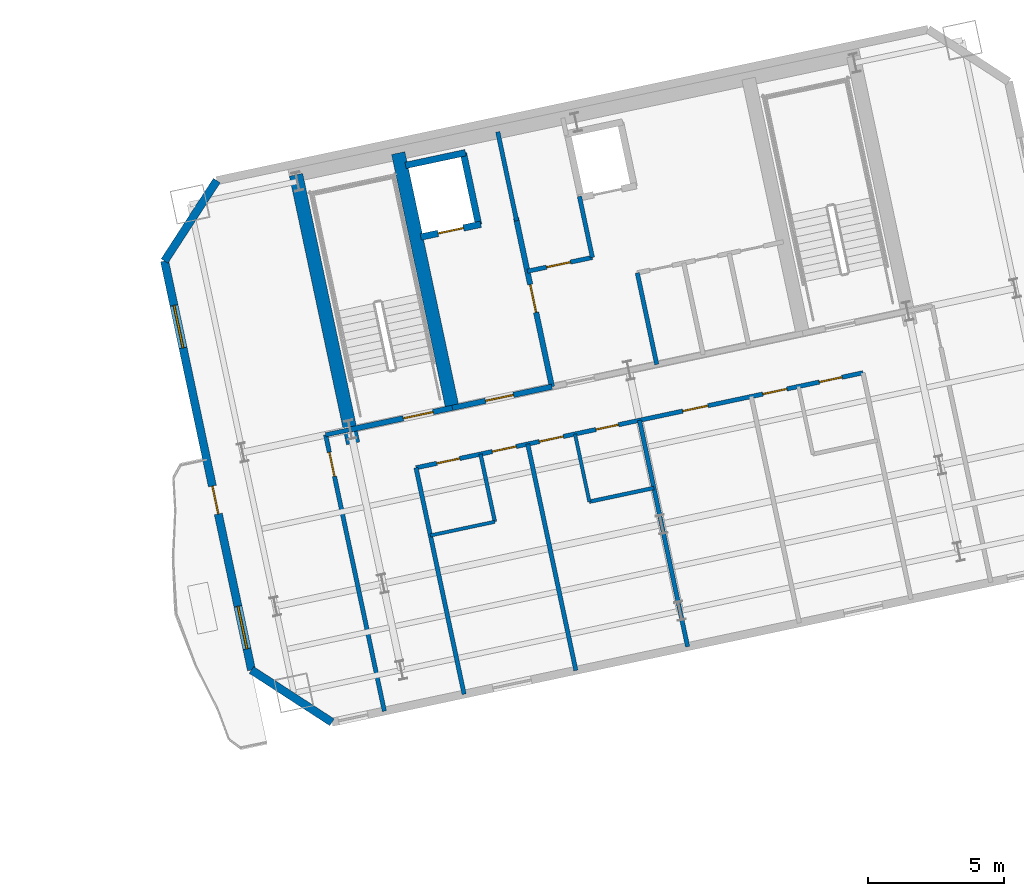
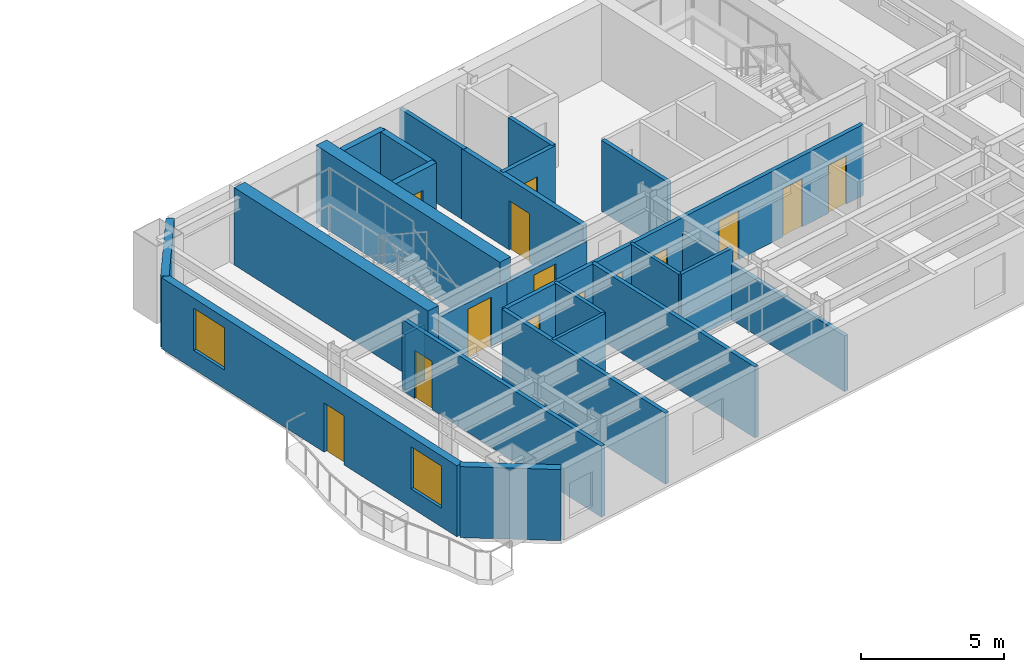
# One storey, part 7 of 13: 25 walls, 14 doors, 2 windows, 16 openings.
"""IFC4 building model written with IfcOpenShell, lengths in metres."""

from ifc_helpers import new_model, si_unit, direction, frame, frame_2d, origin, place, context, subcontext, project, spatial, rectangle, extrude, material, layer, layer_set, type_object, element, fill, save


model = new_model("IFC4")

# Units and contexts
model_context = context("Model", 3, precision=1e-05, world=origin(), true_north=direction((0.0, 1.0)))
body_context = subcontext(model_context, "Body", "Model", "MODEL_VIEW")
ifc_project = project(units=[si_unit("LENGTHUNIT", "METRE"), si_unit("AREAUNIT", "SQUARE_METRE"), si_unit("VOLUMEUNIT", "CUBIC_METRE"), si_unit("PLANEANGLEUNIT", "RADIAN"), si_unit("MASSUNIT", "GRAM", prefix="KILO")], contexts=[model_context])

# Site, building, storey
site_placement = place(None, origin())
site = spatial("IfcSite", under=ifc_project, at=site_placement, CompositionType="ELEMENT")
building_placement = place(site_placement, origin())
building = spatial("IfcBuilding", under=site, at=building_placement, Name="Haevon Station Towers", CompositionType="ELEMENT")
storey_placement = place(building_placement, frame((0.0, 0.0, 162.60009765625)))
storey = spatial("IfcBuildingStorey", under=building, at=storey_placement, Name="L44", CompositionType="ELEMENT", Elevation=162.60009765625)

# Wall, opening, door
ifc_material_1 = material(Name="Gypsum board on steel stud", Category="steel")
ifc_layer_1 = layer(ifc_material_1, 0.199951171875)
ifc_layer_set_1 = layer_set([ifc_layer_1], Name="Gypsum board on steel stud")
wall_type_1 = type_object("IfcWallType", Name="WL-COR200", PredefinedType="PARTITIONING", material=ifc_layer_set_1)
wall_1_placement = place(storey_placement, frame((98.75244140625, 37.4423828125, 0.0), z_axis=(0.0, 0.0, 1.0), x_axis=(0.978143537786, 0.207930804564, 0.0)))
wall_1 = element("IfcWall", 1, at=wall_1_placement, inside=storey, type_object=wall_type_1, Name="WL-ST-ST3-L44", PredefinedType="PARTITIONING", context=body_context, shape_type="SweptSolid", body=[
    extrude(rectangle(XDim=3.85009765625, YDim=0.199951171875, at=frame_2d((1.925048828125, 0.0))), origin(), (0.0, 0.0, 1.0), 2.3798828125),
])
opening_1_placement = place(wall_1_placement, frame((2.0, 0.0, 0.0)))
opening_1 = element("IfcOpeningElement", 2, at=opening_1_placement, cuts=wall_1, Name="Opening DR-ST-ST3-L44", PredefinedType="OPENING", context=body_context, shape_type="SweptSolid", body=[
    extrude(rectangle(XDim=1.1201171875, YDim=2.10009765625, at=frame_2d((0.56005859375, 1.050048828125))), frame((0.0, 0.10986328125, 0.0), z_axis=(0.0, -1.0, 0.0), x_axis=(1.0, 0.0, 0.0)), (0.0, 0.0, 1.0), 0.219970703125),
])
ifc_material_2 = material(Name="Engineered oak timber", Category="wood")
door_type_1 = type_object("IfcDoorType", Name="DR-ST-1120", OperationType="NOTDEFINED", PredefinedType="DOOR", material=ifc_material_2)
door_1_placement = place(opening_1_placement, origin())
door_1 = element("IfcDoor", 3, at=door_1_placement, inside=storey, type_object=door_type_1, Name="L44 Escape Stair ST3 Fire Door", OperationType="SINGLE_SWING_RIGHT", OverallHeight=2.10009765625, OverallWidth=1.1201171875, PredefinedType="DOOR", context=body_context, shape_type="SweptSolid", body=[
    extrude(rectangle(XDim=1.1201171875, YDim=2.10009765625, at=frame_2d((0.56005859375, 1.050048828125))), frame((0.0, 0.02490234375, 0.0), z_axis=(0.0, -1.0, 0.0), x_axis=(1.0, 0.0, 0.0)), (0.0, 0.0, 1.0), 0.050048828125),
])
fill(opening_1, door_1)

wall_2_placement = place(storey_placement, frame((106.186279296875, 39.0224609375, 0.0), z_axis=(0.0, 0.0, 1.0), x_axis=(-0.207916691923, 0.978146537703, 0.0)))
wall_2 = element("IfcWall", 4, at=wall_2_placement, inside=storey, type_object=wall_type_1, Name="WL-T2FFL-L44-E", PredefinedType="PARTITIONING", context=body_context, shape_type="SweptSolid", body=[
    extrude(rectangle(XDim=6.35009765625, YDim=0.199951171875, at=frame_2d((3.175048828125, 0.0))), origin(), (0.0, 0.0, 1.0), 3.02978515625),
])
opening_2_placement = place(wall_2_placement, frame((2.800048828125, 0.0, 0.0)))
opening_2 = element("IfcOpeningElement", 5, at=opening_2_placement, cuts=wall_2, Name="Opening DR-T2FFL-L44-E", PredefinedType="OPENING", context=body_context, shape_type="SweptSolid", body=[
    extrude(rectangle(XDim=1.050048828125, YDim=2.10009765625, at=frame_2d((0.52490234375, 1.050048828125))), frame((0.0, 0.10986328125, 0.0), z_axis=(0.0, -1.0, 0.0), x_axis=(1.0, 0.0, 0.0)), (0.0, 0.0, 1.0), 0.219970703125),
])
door_type_2 = type_object("IfcDoorType", Name="DR-FD60-1050", OperationType="NOTDEFINED", PredefinedType="DOOR", material=ifc_material_2)
door_2_placement = place(opening_2_placement, origin())
door_2 = element("IfcDoor", 6, at=door_2_placement, inside=storey, type_object=door_type_2, Name="L44 Tower 2 Firefighting Lift Lobby Door E", OperationType="SINGLE_SWING_RIGHT", OverallHeight=2.10009765625, OverallWidth=1.050048828125, PredefinedType="DOOR", context=body_context, shape_type="SweptSolid", body=[
    extrude(rectangle(XDim=1.050048828125, YDim=2.10009765625, at=frame_2d((0.52490234375, 1.050048828125))), frame((0.0, 0.02490234375, 0.0), z_axis=(0.0, -1.0, 0.0), x_axis=(1.0, 0.0, 0.0)), (0.0, 0.0, 1.0), 0.050048828125),
])
fill(opening_2, door_2)

wall_3_placement = place(storey_placement, frame((102.518310546875, 38.242919921875, 0.0), z_axis=(0.0, 0.0, 1.0), x_axis=(0.978153555683, 0.20788367301, 0.0)))
wall_3 = element("IfcWall", 7, at=wall_3_placement, inside=storey, type_object=wall_type_1, Name="WL-T2FFL-L44-S", PredefinedType="PARTITIONING", context=body_context, shape_type="SweptSolid", body=[
    extrude(rectangle(XDim=3.75, YDim=0.199951171875, at=frame_2d((1.875, 0.0))), origin(), (0.0, 0.0, 1.0), 2.3798828125),
])
opening_3_placement = place(wall_3_placement, frame((1.25, 0.0, 0.0)))
opening_3 = element("IfcOpeningElement", 8, at=opening_3_placement, cuts=wall_3, Name="Opening DR-T2FFL-L44-S", PredefinedType="OPENING", context=body_context, shape_type="SweptSolid", body=[
    extrude(rectangle(XDim=1.050048828125, YDim=2.10009765625, at=frame_2d((0.52490234375, 1.050048828125))), frame((0.0, 0.10986328125, 0.0), z_axis=(0.0, -1.0, 0.0), x_axis=(1.0, 0.0, 0.0)), (0.0, 0.0, 1.0), 0.219970703125),
])
door_3_placement = place(opening_3_placement, origin())
door_3 = element("IfcDoor", 9, at=door_3_placement, inside=storey, type_object=door_type_2, Name="L44 Tower 2 Firefighting Lift Lobby Door S", OperationType="SINGLE_SWING_LEFT", OverallHeight=2.10009765625, OverallWidth=1.050048828125, PredefinedType="DOOR", context=body_context, shape_type="SweptSolid", body=[
    extrude(rectangle(XDim=1.050048828125, YDim=2.10009765625, at=frame_2d((0.52490234375, 1.050048828125))), frame((0.0, 0.02490234375, 0.0), z_axis=(0.0, -1.0, 0.0), x_axis=(1.0, 0.0, 0.0)), (0.0, 0.0, 1.0), 0.050048828125),
])
fill(opening_3, door_3)

# Walls
ifc_material_3 = material(Name="Concrete C60/75", Category="concrete")
ifc_layer_2 = layer(ifc_material_3, 0.5)
ifc_layer_set_2 = layer_set([ifc_layer_2], Name="Concrete C60/75")
wall_type_2 = type_object("IfcWallType", Name="WL-CR500", PredefinedType="SHEAR", material=ifc_layer_set_2)
wall_4_placement = place(storey_placement, frame((98.8603515625, 36.933837890625, 0.0), z_axis=(0.0, 0.0, 1.0), x_axis=(-0.20790924889, 0.978148119778, 0.0)))
element("IfcWall", 10, at=wall_4_placement, inside=storey, type_object=wall_type_2, Name="WL-T2CR-L44-W", PredefinedType="SHEAR", context=body_context, shape_type="SweptSolid", body=[
    extrude(rectangle(XDim=10.119873046875, YDim=0.5, at=frame_2d((5.06005859375, 0.0))), origin(), (0.0, 0.0, 1.0), 3.2998046875),
])
wall_5_placement = place(storey_placement, frame((102.518310546875, 38.242919921875, 0.0), z_axis=(0.0, 0.0, 1.0), x_axis=(-0.207927495108, 0.978144241295, 0.0)))
element("IfcWall", 11, at=wall_5_placement, inside=storey, type_object=wall_type_2, Name="WL-T2CR-L44-M1", PredefinedType="SHEAR", context=body_context, shape_type="SweptSolid", body=[
    extrude(rectangle(XDim=9.599853515625, YDim=0.5, at=frame_2d((4.7998046875, 0.0))), origin(), (0.0, 0.0, 1.0), 3.2998046875),
])
ifc_material_4 = material(Name="Precast concrete C45/55", Category="concrete")
ifc_layer_3 = layer(ifc_material_4, 0.300048828125)
ifc_layer_set_3 = layer_set([ifc_layer_3], Name="Precast concrete C45/55")
wall_type_3 = type_object("IfcWallType", Name="WL-EXT-PIER300", PredefinedType="SOLIDWALL", material=ifc_layer_set_3)
wall_6_placement = place(storey_placement, frame((98.080078125, 26.656982421875, 0.0), z_axis=(0.0, 0.0, 1.0), x_axis=(-0.838672309694, 0.544636352948, 0.0)))
element("IfcWall", 12, at=wall_6_placement, inside=storey, type_object=wall_type_3, Name="WL-T2-L44-SWC", PredefinedType="SOLIDWALL", context=body_context, shape_type="SweptSolid", body=[
    extrude(rectangle(XDim=3.535400390625, YDim=0.300048828125, at=frame_2d((1.767578125, 0.0))), origin(), (0.0, 0.0, 1.0), 3.02978515625),
])

# Wall, openings, door, windows
wall_7_placement = place(storey_placement, frame((95.114990234375, 28.58251953125, 0.0), z_axis=(0.0, 0.0, 1.0), x_axis=(-0.207908020757, 0.978148380822, 0.0)))
wall_7 = element("IfcWall", 13, at=wall_7_placement, inside=storey, type_object=wall_type_3, Name="WL-T2-L44-W", PredefinedType="SOLIDWALL", context=body_context, shape_type="SweptSolid", body=[
    extrude(rectangle(XDim=15.409912109375, YDim=0.300048828125, at=frame_2d((7.705078125, 0.0))), origin(), (0.0, 0.0, 1.0), 3.02978515625),
])
opening_4_placement = place(wall_7_placement, frame((5.8798828125, 0.0, 0.0)))
opening_4 = element("IfcOpeningElement", 14, at=opening_4_placement, cuts=wall_7, Name="Opening DR-T2-SCAL-L44-W", PredefinedType="OPENING", context=body_context, shape_type="SweptSolid", body=[
    extrude(rectangle(XDim=1.050048828125, YDim=2.10009765625, at=frame_2d((0.52490234375, 1.050048828125))), frame((0.0, 0.159912109375, 0.0), z_axis=(0.0, -1.0, 0.0), x_axis=(1.0, 0.0, 0.0)), (0.0, 0.0, 1.0), 0.320068359375),
])
opening_5_placement = place(wall_7_placement, frame((0.800048828125, 0.0, 0.800048828125)))
opening_5 = element("IfcOpeningElement", 15, at=opening_5_placement, cuts=wall_7, Name="Opening WN-END160", PredefinedType="OPENING", context=body_context, shape_type="SweptSolid", body=[
    extrude(rectangle(XDim=1.60009765625, YDim=1.800048828125, at=frame_2d((0.800048828125, 0.89990234375))), frame((0.0, 0.159912109375, 0.0), z_axis=(0.0, -1.0, 0.0), x_axis=(1.0, 0.0, 0.0)), (0.0, 0.0, 1.0), 0.320068359375),
])
opening_6_placement = place(wall_7_placement, frame((12.137939453125, 0.0, 0.800048828125)))
opening_6 = element("IfcOpeningElement", 16, at=opening_6_placement, cuts=wall_7, Name="Opening WN-END160", PredefinedType="OPENING", context=body_context, shape_type="SweptSolid", body=[
    extrude(rectangle(XDim=1.60009765625, YDim=1.800048828125, at=frame_2d((0.800048828125, 0.89990234375))), frame((0.0, 0.159912109375, 0.0), z_axis=(0.0, -1.0, 0.0), x_axis=(1.0, 0.0, 0.0)), (0.0, 0.0, 1.0), 0.320068359375),
])
ifc_material_5 = material(Name="Thermally broken anodised aluminium and laminated safety glass", Category="aluminium")
door_type_3 = type_object("IfcDoorType", Name="DR-BALC-1050", OperationType="NOTDEFINED", PredefinedType="DOOR", material=ifc_material_5)
door_4_placement = place(opening_4_placement, origin())
door_4 = element("IfcDoor", 17, at=door_4_placement, inside=storey, type_object=door_type_3, Name="Tower 2 L44 West Scalloped Balcony Door", OperationType="SINGLE_SWING_LEFT", OverallHeight=2.10009765625, OverallWidth=1.050048828125, PredefinedType="DOOR", context=body_context, shape_type="SweptSolid", body=[
    extrude(rectangle(XDim=1.050048828125, YDim=2.10009765625, at=frame_2d((0.52490234375, 1.050048828125))), frame((0.0, 0.02490234375, 0.0), z_axis=(0.0, -1.0, 0.0), x_axis=(1.0, 0.0, 0.0)), (0.0, 0.0, 1.0), 0.050048828125),
])
fill(opening_4, door_4)
ifc_material_6 = material(Name="Low-E triple glazing in thermally broken aluminium", Category="aluminium")
window_type = type_object("IfcWindowType", Name="WN-END160", PartitioningType="SINGLE_PANEL", PredefinedType="WINDOW", material=ifc_material_6)
window_1_placement = place(opening_5_placement, origin())
window_1 = element("IfcWindow", 18, at=window_1_placement, inside=storey, type_object=window_type, Name="WN-T2-L44-W01", OverallHeight=1.800048828125, OverallWidth=1.60009765625, PartitioningType="SINGLE_PANEL", PredefinedType="WINDOW", context=body_context, shape_type="SweptSolid", body=[
    extrude(rectangle(XDim=1.60009765625, YDim=1.800048828125, at=frame_2d((0.800048828125, 0.89990234375))), frame((0.0, 0.030029296875, 0.0), z_axis=(0.0, -1.0, 0.0), x_axis=(1.0, 0.0, 0.0)), (0.0, 0.0, 1.0), 0.06005859375),
])
fill(opening_5, window_1)
window_2_placement = place(opening_6_placement, origin())
window_2 = element("IfcWindow", 19, at=window_2_placement, inside=storey, type_object=window_type, Name="WN-T2-L44-W02", OverallHeight=1.800048828125, OverallWidth=1.60009765625, PartitioningType="SINGLE_PANEL", PredefinedType="WINDOW", context=body_context, shape_type="SweptSolid", body=[
    extrude(rectangle(XDim=1.60009765625, YDim=1.800048828125, at=frame_2d((0.800048828125, 0.89990234375))), frame((0.0, 0.030029296875, 0.0), z_axis=(0.0, -1.0, 0.0), x_axis=(1.0, 0.0, 0.0)), (0.0, 0.0, 1.0), 0.06005859375),
])
fill(opening_6, window_2)

# Walls
wall_8_placement = place(storey_placement, frame((91.9111328125, 43.65576171875, 0.0), z_axis=(0.0, 0.0, 1.0), x_axis=(0.544636352948, 0.838672309694, 0.0)))
element("IfcWall", 20, at=wall_8_placement, inside=storey, type_object=wall_type_3, Name="WL-T2-L44-NWC", PredefinedType="SOLIDWALL", context=body_context, shape_type="SweptSolid", body=[
    extrude(rectangle(XDim=3.535400390625, YDim=0.300048828125, at=frame_2d((1.767578125, 0.0))), origin(), (0.0, 0.0, 1.0), 3.02978515625),
])
ifc_layer_4 = layer(ifc_material_1, 0.125)
ifc_layer_set_4 = layer_set([ifc_layer_4], Name="Gypsum board on steel stud")
wall_type_4 = type_object("IfcWallType", Name="WL-PRT125", PredefinedType="PARTITIONING", material=ifc_layer_set_4)
wall_9_placement = place(storey_placement, frame((101.7080078125, 33.541748046875, 0.0), z_axis=(0.0, 0.0, 1.0), x_axis=(0.978156808166, 0.207868368539, 0.0)))
element("IfcWall", 21, at=wall_9_placement, inside=storey, type_object=wall_type_4, Name="WL-T2PT-L44-07", PredefinedType="PARTITIONING", context=body_context, shape_type="SweptSolid", body=[
    extrude(rectangle(XDim=2.429931640625, YDim=0.125, at=frame_2d((1.21484375, 0.0))), origin(), (0.0, 0.0, 1.0), 3.02978515625),
])
wall_10_placement = place(storey_placement, frame((107.567138671875, 34.787109375, 0.0), z_axis=(0.0, 0.0, 1.0), x_axis=(-0.207959524531, 0.978137432142, 0.0)))
element("IfcWall", 22, at=wall_10_placement, inside=storey, type_object=wall_type_4, Name="WL-T2PT-L44-11", PredefinedType="PARTITIONING", context=body_context, shape_type="SweptSolid", body=[
    extrude(rectangle(XDim=2.5498046875, YDim=0.125, at=frame_2d((1.27490234375, 0.0))), origin(), (0.0, 0.0, 1.0), 3.02978515625),
])
ifc_layer_5 = layer(ifc_material_1, 0.139892578125)
ifc_layer_set_5 = layer_set([ifc_layer_5], Name="Gypsum board on steel stud")
wall_type_5 = type_object("IfcWallType", Name="WL-PRT140", PredefinedType="PARTITIONING", material=ifc_layer_set_5)
wall_11_placement = place(storey_placement, frame((104.0849609375, 34.046875, 0.0), z_axis=(0.0, 0.0, 1.0), x_axis=(-0.207940050407, 0.978141572287, 0.0)))
element("IfcWall", 23, at=wall_11_placement, inside=storey, type_object=wall_type_5, Name="WL-T2PT-L44-08", PredefinedType="PARTITIONING", context=body_context, shape_type="SweptSolid", body=[
    extrude(rectangle(XDim=2.550048828125, YDim=0.139892578125, at=frame_2d((1.27490234375, 0.0))), origin(), (0.0, 0.0, 1.0), 3.02978515625),
])
wall_12_placement = place(storey_placement, frame((107.567138671875, 34.787109375, 0.0), z_axis=(0.0, 0.0, 1.0), x_axis=(0.978152466376, 0.207888798452, 0.0)))
element("IfcWall", 24, at=wall_12_placement, inside=storey, type_object=wall_type_5, Name="WL-T2PT-L44-10", PredefinedType="PARTITIONING", context=body_context, shape_type="SweptSolid", body=[
    extrude(rectangle(XDim=2.4296875, YDim=0.139892578125, at=frame_2d((1.21484375, 0.0))), origin(), (0.0, 0.0, 1.0), 3.02978515625),
])
ifc_layer_6 = layer(ifc_material_1, 0.159912109375)
ifc_layer_set_6 = layer_set([ifc_layer_6], Name="Gypsum board on steel stud")
wall_type_6 = type_object("IfcWallType", Name="WL-PRT160", PredefinedType="PARTITIONING", material=ifc_layer_set_6)
wall_13_placement = place(storey_placement, frame((104.88671875, 45.135986328125, 0.0), z_axis=(0.0, 0.0, 1.0), x_axis=(-0.207846553267, 0.978161443881, 0.0)))
element("IfcWall", 25, at=wall_13_placement, inside=storey, type_object=wall_type_6, Name="WL-T2CW-L44-01", PredefinedType="PARTITIONING", context=body_context, shape_type="SweptSolid", body=[
    extrude(rectangle(XDim=3.35009765625, YDim=0.159912109375, at=frame_2d((1.675048828125, 0.0))), origin(), (0.0, 0.0, 1.0), 3.02978515625),
])

# Wall, opening, door
wall_14_placement = place(storey_placement, frame((105.28173828125, 43.277587890625, 0.0), z_axis=(0.0, 0.0, 1.0), x_axis=(0.978156824814, 0.207868290196, 0.0)))
wall_14 = element("IfcWall", 26, at=wall_14_placement, inside=storey, type_object=wall_type_6, Name="WL-T2CW-L44-02", PredefinedType="PARTITIONING", context=body_context, shape_type="SweptSolid", body=[
    extrude(rectangle(XDim=2.449951171875, YDim=0.159912109375, at=frame_2d((1.22509765625, 0.0))), origin(), (0.0, 0.0, 1.0), 3.02978515625),
])
opening_7_placement = place(wall_14_placement, frame((0.719970703125, 0.0, 0.0)))
opening_7 = element("IfcOpeningElement", 27, at=opening_7_placement, cuts=wall_14, Name="Opening DR-WL-T2CW-L44-02-1", PredefinedType="OPENING", context=body_context, shape_type="SweptSolid", body=[
    extrude(rectangle(XDim=0.89990234375, YDim=2.10009765625, at=frame_2d((0.449951171875, 1.050048828125))), frame((0.0, 0.08984375, 0.0), z_axis=(0.0, -1.0, 0.0), x_axis=(1.0, 0.0, 0.0)), (0.0, 0.0, 1.0), 0.179931640625),
])
door_type_4 = type_object("IfcDoorType", Name="DR-FD60-900", OperationType="NOTDEFINED", PredefinedType="DOOR", material=ifc_material_2)
door_5_placement = place(opening_7_placement, origin())
door_5 = element("IfcDoor", 28, at=door_5_placement, inside=storey, type_object=door_type_4, Name="L44 Tower 2 Core Room Door 2-1", OperationType="SINGLE_SWING_RIGHT", OverallHeight=2.10009765625, OverallWidth=0.89990234375, PredefinedType="DOOR", context=body_context, shape_type="SweptSolid", body=[
    extrude(rectangle(XDim=0.89990234375, YDim=2.10009765625, at=frame_2d((0.449951171875, 1.050048828125))), frame((0.0, 0.02490234375, 0.0), z_axis=(0.0, -1.0, 0.0), x_axis=(1.0, 0.0, 0.0)), (0.0, 0.0, 1.0), 0.050048828125),
])
fill(opening_7, door_5)

# Walls
wall_15_placement = place(storey_placement, frame((107.67822265625, 43.786865234375, 0.0), z_axis=(0.0, 0.0, 1.0), x_axis=(-0.207839712757, 0.978162897375, 0.0)))
element("IfcWall", 29, at=wall_15_placement, inside=storey, type_object=wall_type_6, Name="WL-T2CW-L44-03", PredefinedType="PARTITIONING", context=body_context, shape_type="SweptSolid", body=[
    extrude(rectangle(XDim=2.300048828125, YDim=0.159912109375, at=frame_2d((1.14990234375, 0.0))), origin(), (0.0, 0.0, 1.0), 3.02978515625),
])
wall_16_placement = place(storey_placement, frame((110.050048828125, 39.84375, 0.0), z_axis=(0.0, 0.0, 1.0), x_axis=(-0.207900225061, 0.978150037785, 0.0)))
element("IfcWall", 30, at=wall_16_placement, inside=storey, type_object=wall_type_6, Name="WL-T2CW-L44-05", PredefinedType="PARTITIONING", context=body_context, shape_type="SweptSolid", body=[
    extrude(rectangle(XDim=3.4501953125, YDim=0.159912109375, at=frame_2d((1.72509765625, 0.0))), origin(), (0.0, 0.0, 1.0), 3.02978515625),
])
wall_17_placement = place(storey_placement, frame((102.951171875, 27.6923828125, 0.0), z_axis=(0.0, 0.0, 1.0), x_axis=(-0.207908391118, 0.978148302101, 0.0)))
element("IfcWall", 31, at=wall_17_placement, inside=storey, type_object=wall_type_6, Name="WL-T2PT-L44-01", PredefinedType="PARTITIONING", context=body_context, shape_type="SweptSolid", body=[
    extrude(rectangle(XDim=8.52978515625, YDim=0.159912109375, at=frame_2d((4.264892578125, 0.0))), origin(), (0.0, 0.0, 1.0), 3.02978515625),
])
wall_18_placement = place(storey_placement, frame((97.84765625, 37.25, 0.0), z_axis=(0.0, 0.0, 1.0), x_axis=(0.978133353907, 0.20797870558, 0.0)))
element("IfcWall", 32, at=wall_18_placement, inside=storey, type_object=wall_type_6, Name="WL-T2PT-L44-03", PredefinedType="PARTITIONING", context=body_context, shape_type="SweptSolid", body=[
    extrude(rectangle(XDim=0.925048828125, YDim=0.159912109375, at=frame_2d((0.46240234375, 0.0))), origin(), (0.0, 0.0, 1.0), 2.3798828125),
])

# Wall, opening, door
wall_19_placement = place(storey_placement, frame((100.011962890625, 27.067626953125, 0.0), z_axis=(0.0, 0.0, 1.0), x_axis=(-0.207909525055, 0.978148061078, 0.0)))
wall_19 = element("IfcWall", 33, at=wall_19_placement, inside=storey, type_object=wall_type_6, Name="WL-T2PT-L44-05", PredefinedType="PARTITIONING", context=body_context, shape_type="SweptSolid", body=[
    extrude(rectangle(XDim=10.409912109375, YDim=0.159912109375, at=frame_2d((5.205078125, 0.0))), origin(), (0.0, 0.0, 1.0), 3.02978515625),
])
opening_8_placement = place(wall_19_placement, frame((8.85009765625, 0.0, 0.0)))
opening_8 = element("IfcOpeningElement", 34, at=opening_8_placement, cuts=wall_19, Name="Opening DR-WL-T2PT-L44-05-01", PredefinedType="OPENING", context=body_context, shape_type="SweptSolid", body=[
    extrude(rectangle(XDim=0.89990234375, YDim=2.050048828125, at=frame_2d((0.449951171875, 1.02490234375))), frame((0.0, 0.08984375, 0.0), z_axis=(0.0, -1.0, 0.0), x_axis=(1.0, 0.0, 0.0)), (0.0, 0.0, 1.0), 0.179931640625),
])
door_type_5 = type_object("IfcDoorType", Name="DR-INT-900", OperationType="NOTDEFINED", PredefinedType="DOOR", material=ifc_material_2)
door_6_placement = place(opening_8_placement, origin())
door_6 = element("IfcDoor", 35, at=door_6_placement, inside=storey, type_object=door_type_5, Name="L44 Tower 2 Room Door 5-1", OperationType="SINGLE_SWING_RIGHT", OverallHeight=2.050048828125, OverallWidth=0.89990234375, PredefinedType="DOOR", context=body_context, shape_type="SweptSolid", body=[
    extrude(rectangle(XDim=0.89990234375, YDim=2.050048828125, at=frame_2d((0.449951171875, 1.02490234375))), frame((0.0, 0.02490234375, 0.0), z_axis=(0.0, -1.0, 0.0), x_axis=(1.0, 0.0, 0.0)), (0.0, 0.0, 1.0), 0.050048828125),
])
fill(opening_8, door_6)

# Walls
wall_20_placement = place(storey_placement, frame((107.0693359375, 28.567626953125, 0.0), z_axis=(0.0, 0.0, 1.0), x_axis=(-0.207929954216, 0.978143718551, 0.0)))
element("IfcWall", 36, at=wall_20_placement, inside=storey, type_object=wall_type_6, Name="WL-T2PT-L44-09", PredefinedType="PARTITIONING", context=body_context, shape_type="SweptSolid", body=[
    extrude(rectangle(XDim=8.5302734375, YDim=0.159912109375, at=frame_2d((4.26513671875, 0.0))), origin(), (0.0, 0.0, 1.0), 3.02978515625),
])
wall_21_placement = place(storey_placement, frame((111.187255859375, 29.44287109375, 0.0), z_axis=(0.0, 0.0, 1.0), x_axis=(-0.207902570608, 0.97814953925, 0.0)))
element("IfcWall", 37, at=wall_21_placement, inside=storey, type_object=wall_type_6, Name="WL-T2PT-L44-12", PredefinedType="PARTITIONING", context=body_context, shape_type="SweptSolid", body=[
    extrude(rectangle(XDim=8.530029296875, YDim=0.159912109375, at=frame_2d((4.26513671875, 0.0))), origin(), (0.0, 0.0, 1.0), 2.3798828125),
])

# Wall, openings, doors
wall_22_placement = place(storey_placement, frame((101.177734375, 36.035888671875, 0.0), z_axis=(0.0, 0.0, 1.0), x_axis=(0.978147537813, 0.207911986835, 0.0)))
wall_22 = element("IfcWall", 38, at=wall_22_placement, inside=storey, type_object=wall_type_6, Name="WL-T2PT-L44-16", PredefinedType="PARTITIONING", context=body_context, shape_type="SweptSolid", body=[
    extrude(rectangle(XDim=16.83984375, YDim=0.159912109375, at=frame_2d((8.419921875, 0.0))), origin(), (0.0, 0.0, 1.0), 3.02978515625),
])
opening_9_placement = place(wall_22_placement, frame((0.7900390625, 0.0, 0.0)))
opening_9 = element("IfcOpeningElement", 39, at=opening_9_placement, cuts=wall_22, Name="Opening DR-WL-T2PT-L44-16-01", PredefinedType="OPENING", context=body_context, shape_type="SweptSolid", body=[
    extrude(rectangle(XDim=0.85009765625, YDim=2.050048828125, at=frame_2d((0.425048828125, 1.02490234375))), frame((0.0, 0.08984375, 0.0), z_axis=(0.0, -1.0, 0.0), x_axis=(1.0, 0.0, 0.0)), (0.0, 0.0, 1.0), 0.179931640625),
])
opening_10_placement = place(wall_22_placement, frame((2.8701171875, 0.0, 0.0)))
opening_10 = element("IfcOpeningElement", 40, at=opening_10_placement, cuts=wall_22, Name="Opening DR-WL-T2PT-L44-16-02", PredefinedType="OPENING", context=body_context, shape_type="SweptSolid", body=[
    extrude(rectangle(XDim=0.89990234375, YDim=2.050048828125, at=frame_2d((0.449951171875, 1.02490234375))), frame((0.0, 0.08984375, 0.0), z_axis=(0.0, -1.0, 0.0), x_axis=(1.0, 0.0, 0.0)), (0.0, 0.0, 1.0), 0.179931640625),
])
opening_11_placement = place(wall_22_placement, frame((6.780029296875, 0.0, 0.0)))
opening_11 = element("IfcOpeningElement", 41, at=opening_11_placement, cuts=wall_22, Name="Opening DR-WL-T2PT-L44-16-03", PredefinedType="OPENING", context=body_context, shape_type="SweptSolid", body=[
    extrude(rectangle(XDim=0.85009765625, YDim=2.050048828125, at=frame_2d((0.425048828125, 1.02490234375))), frame((0.0, 0.08984375, 0.0), z_axis=(0.0, -1.0, 0.0), x_axis=(1.0, 0.0, 0.0)), (0.0, 0.0, 1.0), 0.179931640625),
])
opening_12_placement = place(wall_22_placement, frame((4.64990234375, 0.0, 0.0)))
opening_12 = element("IfcOpeningElement", 42, at=opening_12_placement, cuts=wall_22, Name="Opening DR-WL-T2PT-L44-16-04", PredefinedType="OPENING", context=body_context, shape_type="SweptSolid", body=[
    extrude(rectangle(XDim=0.89990234375, YDim=2.050048828125, at=frame_2d((0.449951171875, 1.02490234375))), frame((0.0, 0.08984375, 0.0), z_axis=(0.0, -1.0, 0.0), x_axis=(1.0, 0.0, 0.0)), (0.0, 0.0, 1.0), 0.179931640625),
])
opening_13_placement = place(wall_22_placement, frame((10.050048828125, 0.0, 0.0)))
opening_13 = element("IfcOpeningElement", 43, at=opening_13_placement, cuts=wall_22, Name="Opening DR-WL-T2PT-L44-16-05", PredefinedType="OPENING", context=body_context, shape_type="SweptSolid", body=[
    extrude(rectangle(XDim=0.949951171875, YDim=2.10009765625, at=frame_2d((0.47509765625, 1.050048828125))), frame((0.0, 0.08984375, 0.0), z_axis=(0.0, -1.0, 0.0), x_axis=(1.0, 0.0, 0.0)), (0.0, 0.0, 1.0), 0.179931640625),
])
opening_14_placement = place(wall_22_placement, frame((15.199951171875, 0.0, 0.0)))
opening_14 = element("IfcOpeningElement", 44, at=opening_14_placement, cuts=wall_22, Name="Opening DR-WL-T2PT-L44-16-06", PredefinedType="OPENING", context=body_context, shape_type="SweptSolid", body=[
    extrude(rectangle(XDim=0.85009765625, YDim=2.050048828125, at=frame_2d((0.425048828125, 1.02490234375))), frame((0.0, 0.08984375, 0.0), z_axis=(0.0, -1.0, 0.0), x_axis=(1.0, 0.0, 0.0)), (0.0, 0.0, 1.0), 0.179931640625),
])
opening_15_placement = place(wall_22_placement, frame((13.070068359375, 0.0, 0.0)))
opening_15 = element("IfcOpeningElement", 45, at=opening_15_placement, cuts=wall_22, Name="Opening DR-WL-T2PT-L44-16-07", PredefinedType="OPENING", context=body_context, shape_type="SweptSolid", body=[
    extrude(rectangle(XDim=0.89990234375, YDim=2.050048828125, at=frame_2d((0.449951171875, 1.02490234375))), frame((0.0, 0.08984375, 0.0), z_axis=(0.0, -1.0, 0.0), x_axis=(1.0, 0.0, 0.0)), (0.0, 0.0, 1.0), 0.179931640625),
])
door_type_6 = type_object("IfcDoorType", Name="DR-FD30-850", OperationType="NOTDEFINED", PredefinedType="DOOR", material=ifc_material_2)
door_7_placement = place(opening_9_placement, origin())
door_7 = element("IfcDoor", 46, at=door_7_placement, inside=storey, type_object=door_type_6, Name="L44 Tower 2 Room Door 16-1", OperationType="SINGLE_SWING_RIGHT", OverallHeight=2.050048828125, OverallWidth=0.85009765625, PredefinedType="DOOR", context=body_context, shape_type="SweptSolid", body=[
    extrude(rectangle(XDim=0.85009765625, YDim=2.050048828125, at=frame_2d((0.425048828125, 1.02490234375))), frame((0.0, 0.02490234375, 0.0), z_axis=(0.0, -1.0, 0.0), x_axis=(1.0, 0.0, 0.0)), (0.0, 0.0, 1.0), 0.050048828125),
])
fill(opening_9, door_7)
door_8_placement = place(opening_11_placement, origin())
door_8 = element("IfcDoor", 47, at=door_8_placement, inside=storey, type_object=door_type_6, Name="L44 Tower 2 Room Door 16-3", OperationType="SINGLE_SWING_RIGHT", OverallHeight=2.050048828125, OverallWidth=0.85009765625, PredefinedType="DOOR", context=body_context, shape_type="SweptSolid", body=[
    extrude(rectangle(XDim=0.85009765625, YDim=2.050048828125, at=frame_2d((0.425048828125, 1.02490234375))), frame((0.0, 0.02490234375, 0.0), z_axis=(0.0, -1.0, 0.0), x_axis=(1.0, 0.0, 0.0)), (0.0, 0.0, 1.0), 0.050048828125),
])
fill(opening_11, door_8)
door_9_placement = place(opening_14_placement, origin())
door_9 = element("IfcDoor", 48, at=door_9_placement, inside=storey, type_object=door_type_6, Name="L44 Tower 2 Room Door 16-6", OperationType="SINGLE_SWING_LEFT", OverallHeight=2.050048828125, OverallWidth=0.85009765625, PredefinedType="DOOR", context=body_context, shape_type="SweptSolid", body=[
    extrude(rectangle(XDim=0.85009765625, YDim=2.050048828125, at=frame_2d((0.425048828125, 1.02490234375))), frame((0.0, 0.02490234375, 0.0), z_axis=(0.0, -1.0, 0.0), x_axis=(1.0, 0.0, 0.0)), (0.0, 0.0, 1.0), 0.050048828125),
])
fill(opening_14, door_9)
door_type_7 = type_object("IfcDoorType", Name="DR-FD30-950", OperationType="NOTDEFINED", PredefinedType="DOOR", material=ifc_material_2)
door_10_placement = place(opening_13_placement, origin())
door_10 = element("IfcDoor", 49, at=door_10_placement, inside=storey, type_object=door_type_7, Name="L44 Tower 2 Room Door 16-5", OperationType="SINGLE_SWING_RIGHT", OverallHeight=2.10009765625, OverallWidth=0.949951171875, PredefinedType="DOOR", context=body_context, shape_type="SweptSolid", body=[
    extrude(rectangle(XDim=0.949951171875, YDim=2.10009765625, at=frame_2d((0.47509765625, 1.050048828125))), frame((0.0, 0.02490234375, 0.0), z_axis=(0.0, -1.0, 0.0), x_axis=(1.0, 0.0, 0.0)), (0.0, 0.0, 1.0), 0.050048828125),
])
fill(opening_13, door_10)
door_11_placement = place(opening_10_placement, origin())
door_11 = element("IfcDoor", 50, at=door_11_placement, inside=storey, type_object=door_type_5, Name="L44 Tower 2 Room Door 16-2", OperationType="SINGLE_SWING_LEFT", OverallHeight=2.050048828125, OverallWidth=0.89990234375, PredefinedType="DOOR", context=body_context, shape_type="SweptSolid", body=[
    extrude(rectangle(XDim=0.89990234375, YDim=2.050048828125, at=frame_2d((0.449951171875, 1.02490234375))), frame((0.0, 0.02490234375, 0.0), z_axis=(0.0, -1.0, 0.0), x_axis=(1.0, 0.0, 0.0)), (0.0, 0.0, 1.0), 0.050048828125),
])
fill(opening_10, door_11)
door_12_placement = place(opening_12_placement, origin())
door_12 = element("IfcDoor", 51, at=door_12_placement, inside=storey, type_object=door_type_5, Name="L44 Tower 2 Room Door 16-4", OperationType="SINGLE_SWING_LEFT", OverallHeight=2.050048828125, OverallWidth=0.89990234375, PredefinedType="DOOR", context=body_context, shape_type="SweptSolid", body=[
    extrude(rectangle(XDim=0.89990234375, YDim=2.050048828125, at=frame_2d((0.449951171875, 1.02490234375))), frame((0.0, 0.02490234375, 0.0), z_axis=(0.0, -1.0, 0.0), x_axis=(1.0, 0.0, 0.0)), (0.0, 0.0, 1.0), 0.050048828125),
])
fill(opening_12, door_12)
door_13_placement = place(opening_15_placement, origin())
door_13 = element("IfcDoor", 52, at=door_13_placement, inside=storey, type_object=door_type_5, Name="L44 Tower 2 Room Door 16-7", OperationType="SINGLE_SWING_RIGHT", OverallHeight=2.050048828125, OverallWidth=0.89990234375, PredefinedType="DOOR", context=body_context, shape_type="SweptSolid", body=[
    extrude(rectangle(XDim=0.89990234375, YDim=2.050048828125, at=frame_2d((0.449951171875, 1.02490234375))), frame((0.0, 0.02490234375, 0.0), z_axis=(0.0, -1.0, 0.0), x_axis=(1.0, 0.0, 0.0)), (0.0, 0.0, 1.0), 0.050048828125),
])
fill(opening_15, door_13)

# Wall, opening, door
ifc_material_7 = material(Name="Concrete C40/50", Category="concrete")
ifc_layer_7 = layer(ifc_material_7, 0.239990234375)
ifc_layer_set_7 = layer_set([ifc_layer_7], Name="Concrete C40/50")
wall_type_7 = type_object("IfcWallType", Name="WL-SHF240", PredefinedType="PARTITIONING", material=ifc_layer_set_7)
wall_23_placement = place(storey_placement, frame((101.353759765625, 44.538330078125, 0.0), z_axis=(0.0, 0.0, 1.0), x_axis=(0.978141002414, 0.207942731049, 0.0)))
wall_23 = element("IfcWall", 53, at=wall_23_placement, inside=storey, type_object=wall_type_7, Name="WL-SHF-FL2-L44", PredefinedType="PARTITIONING", context=body_context, shape_type="SweptSolid", body=[
    extrude(rectangle(XDim=2.260009765625, YDim=0.239990234375, at=frame_2d((1.1298828125, 0.0))), origin(), (0.0, 0.0, 1.0), 3.02978515625),
])
opening_16_placement = place(wall_23_placement, frame((0.655029296875, 0.0, 0.0)))
opening_16 = element("IfcOpeningElement", 54, at=opening_16_placement, cuts=wall_23, Name="Opening LD-FL2-L44", PredefinedType="OPENING", context=body_context, shape_type="SweptSolid", body=[
    extrude(rectangle(XDim=0.949951171875, YDim=2.14990234375, at=frame_2d((0.47509765625, 1.074951171875))), frame((0.0, 0.1298828125, 0.0), z_axis=(0.0, -1.0, 0.0), x_axis=(1.0, 0.0, 0.0)), (0.0, 0.0, 1.0), 0.260009765625),
])
ifc_material_8 = material(Name="Stainless steel and rated core", Category="steel")
door_type_8 = type_object("IfcDoorType", Name="LD-FL950", OperationType="SLIDING_TO_LEFT", PredefinedType="DOOR", material=ifc_material_8)
door_14_placement = place(opening_16_placement, origin())
door_14 = element("IfcDoor", 55, at=door_14_placement, inside=storey, type_object=door_type_8, Name="L44 Lift FL2 Sliding Landing Door", OperationType="SLIDING_TO_LEFT", OverallHeight=2.14990234375, OverallWidth=0.949951171875, PredefinedType="DOOR", context=body_context, shape_type="SweptSolid", body=[
    extrude(rectangle(XDim=0.949951171875, YDim=2.14990234375, at=frame_2d((0.47509765625, 1.074951171875))), frame((0.0, 0.02490234375, 0.0), z_axis=(0.0, -1.0, 0.0), x_axis=(1.0, 0.0, 0.0)), (0.0, 0.0, 1.0), 0.050048828125),
])
fill(opening_16, door_14)

# Walls
wall_24_placement = place(storey_placement, frame((100.79248046875, 47.179443359375, 0.0), z_axis=(0.0, 0.0, 1.0), x_axis=(0.978162968872, 0.207839376268, 0.0)))
element("IfcWall", 56, at=wall_24_placement, inside=storey, type_object=wall_type_7, Name="WL-SHF-FL2-L44-N", PredefinedType="PARTITIONING", context=body_context, shape_type="SweptSolid", body=[
    extrude(rectangle(XDim=2.260009765625, YDim=0.239990234375, at=frame_2d((1.1298828125, 0.0))), origin(), (0.0, 0.0, 1.0), 3.02978515625),
])
wall_25_placement = place(storey_placement, frame((103.486328125, 44.99169921875, 0.0), z_axis=(0.0, 0.0, 1.0), x_axis=(-0.207978798957, 0.978133334052, 0.0)))
element("IfcWall", 57, at=wall_25_placement, inside=storey, type_object=wall_type_7, Name="WL-SHF-FL2-L44-E", PredefinedType="PARTITIONING", context=body_context, shape_type="SweptSolid", body=[
    extrude(rectangle(XDim=2.699951171875, YDim=0.239990234375, at=frame_2d((1.35009765625, 0.0))), origin(), (0.0, 0.0, 1.0), 3.02978515625),
])

save(model, "model.ifc")
